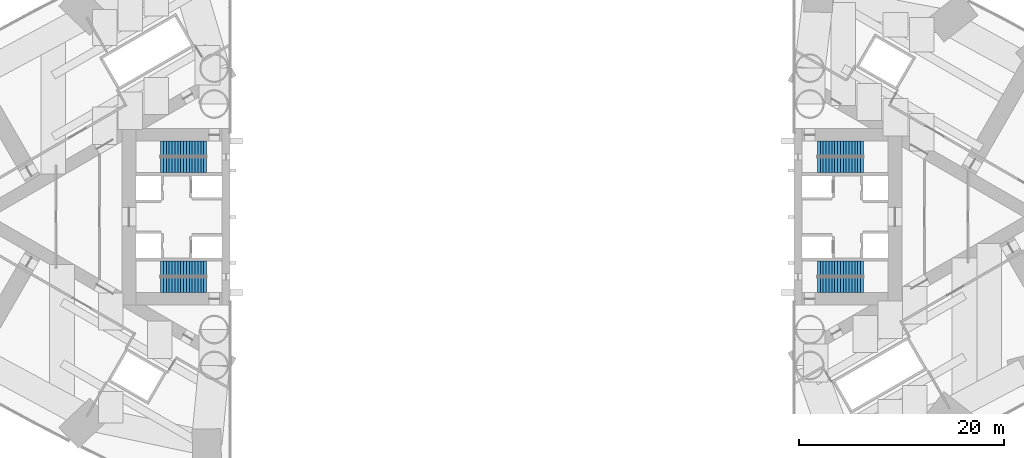
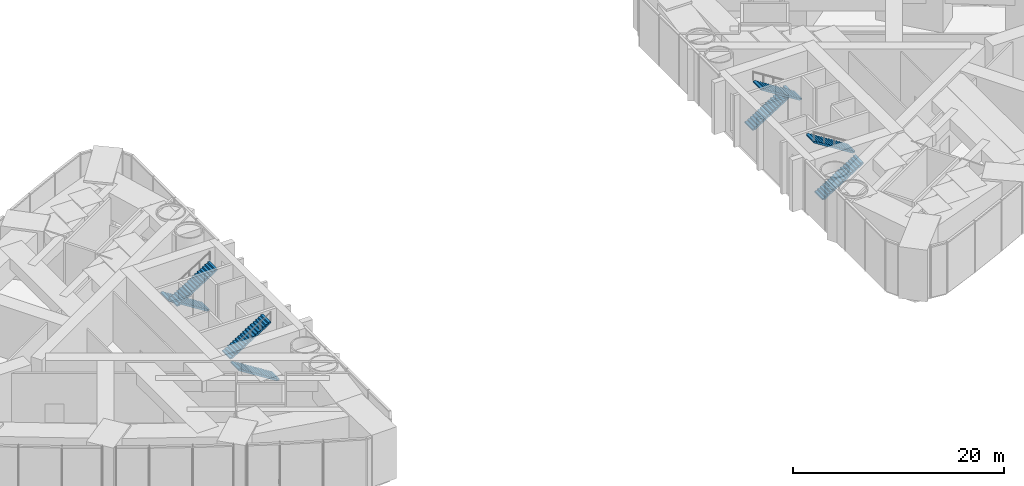
# One storey, part 17 of 18: 8 stair flights, 4 elements without a shape of their own.
"""IFC4 building model written with IfcOpenShell, lengths in metres."""

from ifc_helpers import new_model, si_unit, direction, frame, origin, place, context, subcontext, project, spatial, polyline, outline, extrude, material, type_object, element, aggregate, save


model = new_model("IFC4")

# Units and contexts
model_context = context("Model", 3, precision=1e-05, world=origin(), true_north=direction((0.0, 1.0)))
body_context = subcontext(model_context, "Body", "Model", "MODEL_VIEW")
ifc_project = project(units=[si_unit("LENGTHUNIT", "METRE"), si_unit("AREAUNIT", "SQUARE_METRE"), si_unit("VOLUMEUNIT", "CUBIC_METRE"), si_unit("PLANEANGLEUNIT", "RADIAN"), si_unit("MASSUNIT", "GRAM", prefix="KILO")], contexts=[model_context])

# Site, building, storey
site_placement = place(None, origin())
site = spatial("IfcSite", under=ifc_project, at=site_placement, CompositionType="ELEMENT")
building_placement = place(site_placement, origin())
building = spatial("IfcBuilding", under=site, at=building_placement, Name="Lancet Gate Hotel", CompositionType="ELEMENT")
storey_placement = place(building_placement, frame((0.0, 0.0, 81.0)))
storey = spatial("IfcBuildingStorey", under=building, at=storey_placement, Name="L21", CompositionType="ELEMENT", Elevation=81.0)

# Stair, stair flights
ifc_material_1 = material(Name="Exit stair 34 risers 1500")
stair_type = type_object("IfcStairType", Name="Exit stair 34 risers 1500", PredefinedType="HALF_TURN_STAIR", material=ifc_material_1)
stair_1_placement = place(storey_placement, origin())
stair_1 = element("IfcStair", 1, at=stair_1_placement, inside=storey, type_object=stair_type, Name="T1 stair 1 L21", PredefinedType="HALF_TURN_STAIR")
ifc_material_2 = material(Name="Stair flight 17 risers 176 rise 1500")
stair_flight_type = type_object("IfcStairFlightType", Name="Stair flight 17 risers 176 rise 1500", PredefinedType="STRAIGHT", material=ifc_material_2)
stair_flight_1_placement = place(storey_placement, frame((-29.800048828125, 6.64990234375, 0.0), z_axis=(0.0, 0.0, 1.0), x_axis=(-1.0, 0.0, 0.0)))
stair_flight_1 = element("IfcStairFlight", 2, at=stair_flight_1_placement, type_object=stair_flight_type, Name="ST1 flight 1", NumberOfRisers=17, NumberOfTreads=16, PredefinedType="STRAIGHT", RiserHeight=0.176470588, TreadLength=0.28, context=body_context, shape_type="SweptSolid", body=[
    extrude(outline(polyline([(0.0, 0.0), (0.0, 0.176513671875), (0.280029296875, 0.176513671875), (0.280029296875, 0.35302734375), (0.56005859375, 0.35302734375), (0.56005859375, 0.529296875), (0.840087890625, 0.529296875), (0.840087890625, 0.705810546875), (1.1201171875, 0.705810546875), (1.1201171875, 0.88232421875), (1.39990234375, 0.88232421875), (1.39990234375, 1.058837890625), (1.679931640625, 1.058837890625), (1.679931640625, 1.2353515625), (1.9599609375, 1.2353515625), (1.9599609375, 1.411865234375), (2.239990234375, 1.411865234375), (2.239990234375, 1.588134765625), (2.52001953125, 1.588134765625), (2.52001953125, 1.7646484375), (2.800048828125, 1.7646484375), (2.800048828125, 1.941162109375), (3.080078125, 1.941162109375), (3.080078125, 2.11767578125), (3.360107421875, 2.11767578125), (3.360107421875, 2.294189453125), (3.639892578125, 2.294189453125), (3.639892578125, 2.470703125), (3.919921875, 2.470703125), (3.919921875, 2.64697265625), (4.199951171875, 2.64697265625), (4.199951171875, 2.823486328125), (4.47998046875, 2.823486328125), (4.47998046875, 3.0), (4.47998046875, 2.646240234375), (0.28125, 0.0), (0.0, 0.0)])), frame((0.0, 0.75, 0.0), z_axis=(0.0, -1.0, 0.0), x_axis=(1.0, 0.0, 0.0)), (0.0, 0.0, 1.0), 1.5),
])
stair_flight_2_placement = place(storey_placement, frame((-34.280029296875, 5.050048828125, 3.0), z_axis=(0.0, 0.0, 1.0), x_axis=(1.0, 0.0, 0.0)))
stair_flight_2 = element("IfcStairFlight", 3, at=stair_flight_2_placement, type_object=stair_flight_type, Name="ST1 flight 2", NumberOfRisers=17, NumberOfTreads=16, PredefinedType="STRAIGHT", RiserHeight=0.176470588, TreadLength=0.28, context=body_context, shape_type="SweptSolid", body=[
    extrude(outline(polyline([(0.0, 0.0), (0.0, 0.176513671875), (0.280029296875, 0.176513671875), (0.280029296875, 0.35302734375), (0.56005859375, 0.35302734375), (0.56005859375, 0.529296875), (0.840087890625, 0.529296875), (0.840087890625, 0.705810546875), (1.1201171875, 0.705810546875), (1.1201171875, 0.88232421875), (1.39990234375, 0.88232421875), (1.39990234375, 1.058837890625), (1.679931640625, 1.058837890625), (1.679931640625, 1.2353515625), (1.9599609375, 1.2353515625), (1.9599609375, 1.411865234375), (2.239990234375, 1.411865234375), (2.239990234375, 1.588134765625), (2.52001953125, 1.588134765625), (2.52001953125, 1.7646484375), (2.800048828125, 1.7646484375), (2.800048828125, 1.941162109375), (3.080078125, 1.941162109375), (3.080078125, 2.11767578125), (3.360107421875, 2.11767578125), (3.360107421875, 2.294189453125), (3.639892578125, 2.294189453125), (3.639892578125, 2.470703125), (3.919921875, 2.470703125), (3.919921875, 2.64697265625), (4.199951171875, 2.64697265625), (4.199951171875, 2.823486328125), (4.47998046875, 2.823486328125), (4.47998046875, 3.0), (4.47998046875, 2.646240234375), (0.28125, 0.0), (0.0, 0.0)])), frame((0.0, 0.75, 0.0), z_axis=(0.0, -1.0, 0.0), x_axis=(1.0, 0.0, 0.0)), (0.0, 0.0, 1.0), 1.5),
])
aggregate(stair_1, [stair_flight_1, stair_flight_2])

stair_2_placement = place(storey_placement, origin())
stair_2 = element("IfcStair", 4, at=stair_2_placement, inside=storey, type_object=stair_type, Name="T1 stair 2 L21", PredefinedType="HALF_TURN_STAIR")
stair_flight_3_placement = place(storey_placement, frame((-29.800048828125, -6.64990234375, 0.0), z_axis=(0.0, 0.0, 1.0), x_axis=(-1.0, 0.0, 0.0)))
stair_flight_3 = element("IfcStairFlight", 5, at=stair_flight_3_placement, type_object=stair_flight_type, Name="ST2 flight 1", NumberOfRisers=17, NumberOfTreads=16, PredefinedType="STRAIGHT", RiserHeight=0.176470588, TreadLength=0.28, context=body_context, shape_type="SweptSolid", body=[
    extrude(outline(polyline([(0.0, 0.0), (0.0, 0.176513671875), (0.280029296875, 0.176513671875), (0.280029296875, 0.35302734375), (0.56005859375, 0.35302734375), (0.56005859375, 0.529296875), (0.840087890625, 0.529296875), (0.840087890625, 0.705810546875), (1.1201171875, 0.705810546875), (1.1201171875, 0.88232421875), (1.39990234375, 0.88232421875), (1.39990234375, 1.058837890625), (1.679931640625, 1.058837890625), (1.679931640625, 1.2353515625), (1.9599609375, 1.2353515625), (1.9599609375, 1.411865234375), (2.239990234375, 1.411865234375), (2.239990234375, 1.588134765625), (2.52001953125, 1.588134765625), (2.52001953125, 1.7646484375), (2.800048828125, 1.7646484375), (2.800048828125, 1.941162109375), (3.080078125, 1.941162109375), (3.080078125, 2.11767578125), (3.360107421875, 2.11767578125), (3.360107421875, 2.294189453125), (3.639892578125, 2.294189453125), (3.639892578125, 2.470703125), (3.919921875, 2.470703125), (3.919921875, 2.64697265625), (4.199951171875, 2.64697265625), (4.199951171875, 2.823486328125), (4.47998046875, 2.823486328125), (4.47998046875, 3.0), (4.47998046875, 2.646240234375), (0.28125, 0.0), (0.0, 0.0)])), frame((0.0, 0.75, 0.0), z_axis=(0.0, -1.0, 0.0), x_axis=(1.0, 0.0, 0.0)), (0.0, 0.0, 1.0), 1.5),
])
stair_flight_4_placement = place(storey_placement, frame((-34.280029296875, -5.050048828125, 3.0), z_axis=(0.0, 0.0, 1.0), x_axis=(1.0, 0.0, 0.0)))
stair_flight_4 = element("IfcStairFlight", 6, at=stair_flight_4_placement, type_object=stair_flight_type, Name="ST2 flight 2", NumberOfRisers=17, NumberOfTreads=16, PredefinedType="STRAIGHT", RiserHeight=0.176470588, TreadLength=0.28, context=body_context, shape_type="SweptSolid", body=[
    extrude(outline(polyline([(0.0, 0.0), (0.0, 0.176513671875), (0.280029296875, 0.176513671875), (0.280029296875, 0.35302734375), (0.56005859375, 0.35302734375), (0.56005859375, 0.529296875), (0.840087890625, 0.529296875), (0.840087890625, 0.705810546875), (1.1201171875, 0.705810546875), (1.1201171875, 0.88232421875), (1.39990234375, 0.88232421875), (1.39990234375, 1.058837890625), (1.679931640625, 1.058837890625), (1.679931640625, 1.2353515625), (1.9599609375, 1.2353515625), (1.9599609375, 1.411865234375), (2.239990234375, 1.411865234375), (2.239990234375, 1.588134765625), (2.52001953125, 1.588134765625), (2.52001953125, 1.7646484375), (2.800048828125, 1.7646484375), (2.800048828125, 1.941162109375), (3.080078125, 1.941162109375), (3.080078125, 2.11767578125), (3.360107421875, 2.11767578125), (3.360107421875, 2.294189453125), (3.639892578125, 2.294189453125), (3.639892578125, 2.470703125), (3.919921875, 2.470703125), (3.919921875, 2.64697265625), (4.199951171875, 2.64697265625), (4.199951171875, 2.823486328125), (4.47998046875, 2.823486328125), (4.47998046875, 3.0), (4.47998046875, 2.646240234375), (0.28125, 0.0), (0.0, 0.0)])), frame((0.0, 0.75, 0.0), z_axis=(0.0, -1.0, 0.0), x_axis=(1.0, 0.0, 0.0)), (0.0, 0.0, 1.0), 1.5),
])
aggregate(stair_2, [stair_flight_3, stair_flight_4])

stair_3_placement = place(storey_placement, origin())
stair_3 = element("IfcStair", 7, at=stair_3_placement, inside=storey, type_object=stair_type, Name="T2 stair 1 L21", PredefinedType="HALF_TURN_STAIR")
stair_flight_5_placement = place(storey_placement, frame((29.800048828125, -6.64990234375, 0.0), z_axis=(0.0, 0.0, 1.0), x_axis=(1.0, 0.0, 0.0)))
stair_flight_5 = element("IfcStairFlight", 8, at=stair_flight_5_placement, type_object=stair_flight_type, Name="ST3 flight 1", NumberOfRisers=17, NumberOfTreads=16, PredefinedType="STRAIGHT", RiserHeight=0.176470588, TreadLength=0.28, context=body_context, shape_type="SweptSolid", body=[
    extrude(outline(polyline([(0.0, 0.0), (0.0, 0.176513671875), (0.280029296875, 0.176513671875), (0.280029296875, 0.35302734375), (0.56005859375, 0.35302734375), (0.56005859375, 0.529296875), (0.840087890625, 0.529296875), (0.840087890625, 0.705810546875), (1.1201171875, 0.705810546875), (1.1201171875, 0.88232421875), (1.39990234375, 0.88232421875), (1.39990234375, 1.058837890625), (1.679931640625, 1.058837890625), (1.679931640625, 1.2353515625), (1.9599609375, 1.2353515625), (1.9599609375, 1.411865234375), (2.239990234375, 1.411865234375), (2.239990234375, 1.588134765625), (2.52001953125, 1.588134765625), (2.52001953125, 1.7646484375), (2.800048828125, 1.7646484375), (2.800048828125, 1.941162109375), (3.080078125, 1.941162109375), (3.080078125, 2.11767578125), (3.360107421875, 2.11767578125), (3.360107421875, 2.294189453125), (3.639892578125, 2.294189453125), (3.639892578125, 2.470703125), (3.919921875, 2.470703125), (3.919921875, 2.64697265625), (4.199951171875, 2.64697265625), (4.199951171875, 2.823486328125), (4.47998046875, 2.823486328125), (4.47998046875, 3.0), (4.47998046875, 2.646240234375), (0.28125, 0.0), (0.0, 0.0)])), frame((0.0, 0.75, 0.0), z_axis=(0.0, -1.0, 0.0), x_axis=(1.0, 0.0, 0.0)), (0.0, 0.0, 1.0), 1.5),
])
stair_flight_6_placement = place(storey_placement, frame((34.280029296875, -5.050048828125, 3.0), z_axis=(0.0, 0.0, 1.0), x_axis=(-1.0, 0.0, 0.0)))
stair_flight_6 = element("IfcStairFlight", 9, at=stair_flight_6_placement, type_object=stair_flight_type, Name="ST3 flight 2", NumberOfRisers=17, NumberOfTreads=16, PredefinedType="STRAIGHT", RiserHeight=0.176470588, TreadLength=0.28, context=body_context, shape_type="SweptSolid", body=[
    extrude(outline(polyline([(0.0, 0.0), (0.0, 0.176513671875), (0.280029296875, 0.176513671875), (0.280029296875, 0.35302734375), (0.56005859375, 0.35302734375), (0.56005859375, 0.529296875), (0.840087890625, 0.529296875), (0.840087890625, 0.705810546875), (1.1201171875, 0.705810546875), (1.1201171875, 0.88232421875), (1.39990234375, 0.88232421875), (1.39990234375, 1.058837890625), (1.679931640625, 1.058837890625), (1.679931640625, 1.2353515625), (1.9599609375, 1.2353515625), (1.9599609375, 1.411865234375), (2.239990234375, 1.411865234375), (2.239990234375, 1.588134765625), (2.52001953125, 1.588134765625), (2.52001953125, 1.7646484375), (2.800048828125, 1.7646484375), (2.800048828125, 1.941162109375), (3.080078125, 1.941162109375), (3.080078125, 2.11767578125), (3.360107421875, 2.11767578125), (3.360107421875, 2.294189453125), (3.639892578125, 2.294189453125), (3.639892578125, 2.470703125), (3.919921875, 2.470703125), (3.919921875, 2.64697265625), (4.199951171875, 2.64697265625), (4.199951171875, 2.823486328125), (4.47998046875, 2.823486328125), (4.47998046875, 3.0), (4.47998046875, 2.646240234375), (0.28125, 0.0), (0.0, 0.0)])), frame((0.0, 0.75, 0.0), z_axis=(0.0, -1.0, 0.0), x_axis=(1.0, 0.0, 0.0)), (0.0, 0.0, 1.0), 1.5),
])
aggregate(stair_3, [stair_flight_5, stair_flight_6])

stair_4_placement = place(storey_placement, origin())
stair_4 = element("IfcStair", 10, at=stair_4_placement, inside=storey, type_object=stair_type, Name="T2 stair 2 L21", PredefinedType="HALF_TURN_STAIR")
stair_flight_7_placement = place(storey_placement, frame((29.800048828125, 6.64990234375, 0.0), z_axis=(0.0, 0.0, 1.0), x_axis=(1.0, 0.0, 0.0)))
stair_flight_7 = element("IfcStairFlight", 11, at=stair_flight_7_placement, type_object=stair_flight_type, Name="ST4 flight 1", NumberOfRisers=17, NumberOfTreads=16, PredefinedType="STRAIGHT", RiserHeight=0.176470588, TreadLength=0.28, context=body_context, shape_type="SweptSolid", body=[
    extrude(outline(polyline([(0.0, 0.0), (0.0, 0.176513671875), (0.280029296875, 0.176513671875), (0.280029296875, 0.35302734375), (0.56005859375, 0.35302734375), (0.56005859375, 0.529296875), (0.840087890625, 0.529296875), (0.840087890625, 0.705810546875), (1.1201171875, 0.705810546875), (1.1201171875, 0.88232421875), (1.39990234375, 0.88232421875), (1.39990234375, 1.058837890625), (1.679931640625, 1.058837890625), (1.679931640625, 1.2353515625), (1.9599609375, 1.2353515625), (1.9599609375, 1.411865234375), (2.239990234375, 1.411865234375), (2.239990234375, 1.588134765625), (2.52001953125, 1.588134765625), (2.52001953125, 1.7646484375), (2.800048828125, 1.7646484375), (2.800048828125, 1.941162109375), (3.080078125, 1.941162109375), (3.080078125, 2.11767578125), (3.360107421875, 2.11767578125), (3.360107421875, 2.294189453125), (3.639892578125, 2.294189453125), (3.639892578125, 2.470703125), (3.919921875, 2.470703125), (3.919921875, 2.64697265625), (4.199951171875, 2.64697265625), (4.199951171875, 2.823486328125), (4.47998046875, 2.823486328125), (4.47998046875, 3.0), (4.47998046875, 2.646240234375), (0.28125, 0.0), (0.0, 0.0)])), frame((0.0, 0.75, 0.0), z_axis=(0.0, -1.0, 0.0), x_axis=(1.0, 0.0, 0.0)), (0.0, 0.0, 1.0), 1.5),
])
stair_flight_8_placement = place(storey_placement, frame((34.280029296875, 5.050048828125, 3.0), z_axis=(0.0, 0.0, 1.0), x_axis=(-1.0, 0.0, 0.0)))
stair_flight_8 = element("IfcStairFlight", 12, at=stair_flight_8_placement, type_object=stair_flight_type, Name="ST4 flight 2", NumberOfRisers=17, NumberOfTreads=16, PredefinedType="STRAIGHT", RiserHeight=0.176470588, TreadLength=0.28, context=body_context, shape_type="SweptSolid", body=[
    extrude(outline(polyline([(0.0, 0.0), (0.0, 0.176513671875), (0.280029296875, 0.176513671875), (0.280029296875, 0.35302734375), (0.56005859375, 0.35302734375), (0.56005859375, 0.529296875), (0.840087890625, 0.529296875), (0.840087890625, 0.705810546875), (1.1201171875, 0.705810546875), (1.1201171875, 0.88232421875), (1.39990234375, 0.88232421875), (1.39990234375, 1.058837890625), (1.679931640625, 1.058837890625), (1.679931640625, 1.2353515625), (1.9599609375, 1.2353515625), (1.9599609375, 1.411865234375), (2.239990234375, 1.411865234375), (2.239990234375, 1.588134765625), (2.52001953125, 1.588134765625), (2.52001953125, 1.7646484375), (2.800048828125, 1.7646484375), (2.800048828125, 1.941162109375), (3.080078125, 1.941162109375), (3.080078125, 2.11767578125), (3.360107421875, 2.11767578125), (3.360107421875, 2.294189453125), (3.639892578125, 2.294189453125), (3.639892578125, 2.470703125), (3.919921875, 2.470703125), (3.919921875, 2.64697265625), (4.199951171875, 2.64697265625), (4.199951171875, 2.823486328125), (4.47998046875, 2.823486328125), (4.47998046875, 3.0), (4.47998046875, 2.646240234375), (0.28125, 0.0), (0.0, 0.0)])), frame((0.0, 0.75, 0.0), z_axis=(0.0, -1.0, 0.0), x_axis=(1.0, 0.0, 0.0)), (0.0, 0.0, 1.0), 1.5),
])
aggregate(stair_4, [stair_flight_7, stair_flight_8])

save(model, "model.ifc")
